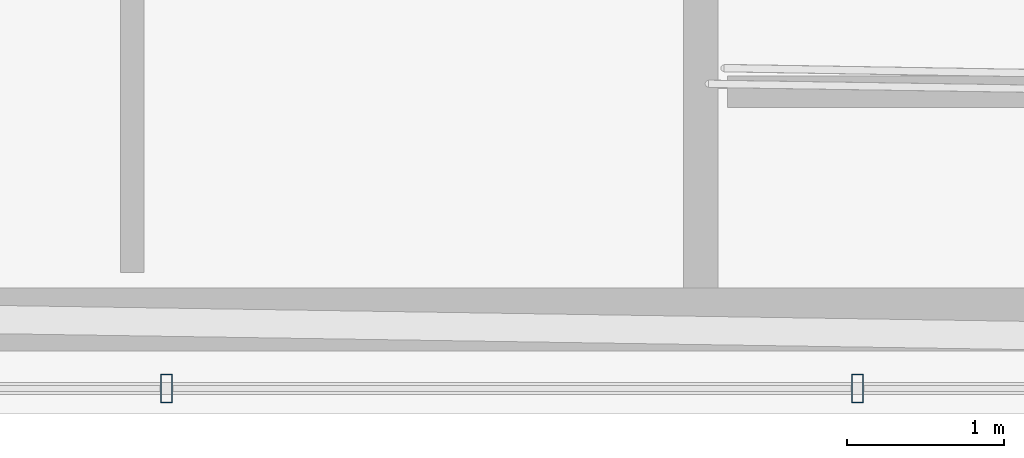
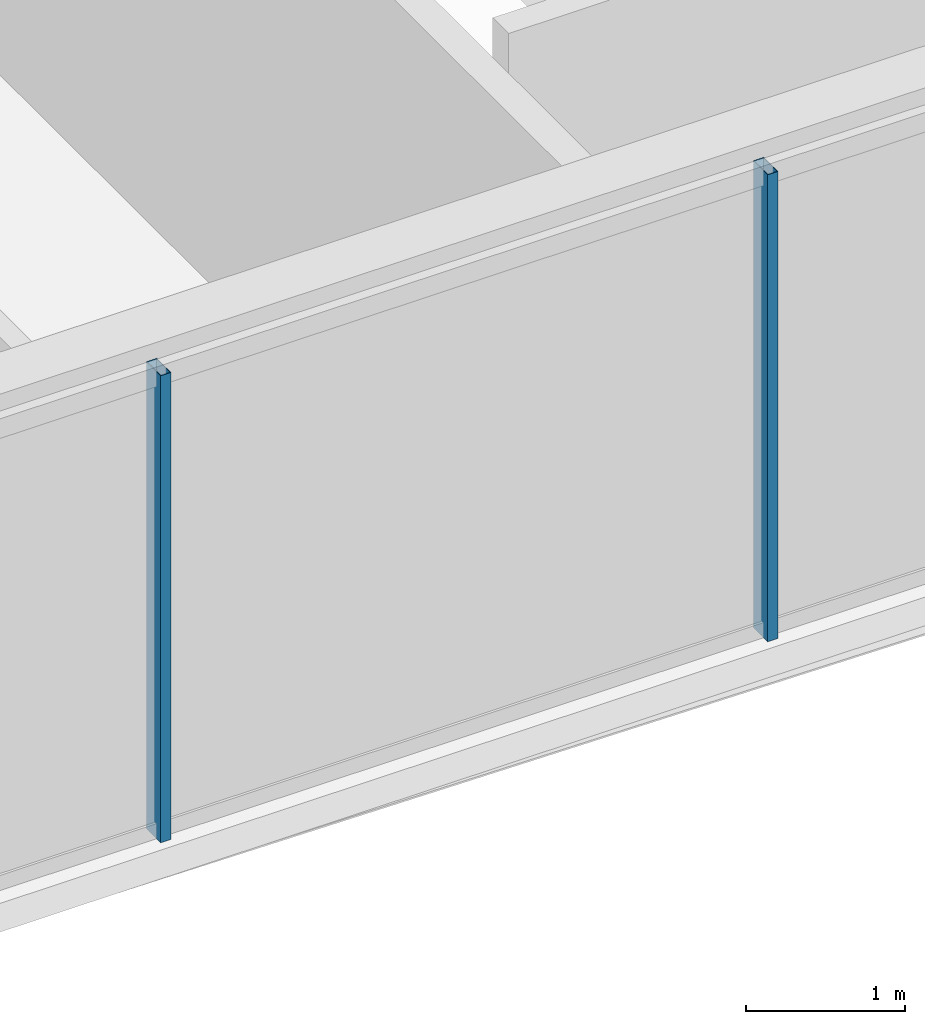
# One storey, part 7 of 32: 2 members, 1 element without a shape of its own.
"""IFC4 building model written with IfcOpenShell, lengths in metres."""

import ifcopenshell
import ifcopenshell.guid

model = None  # the IFC model being written
_history = None  # IfcOwnerHistory: only IFC2X3 demands one
_inside = {}  # id of a spatial element -> (the spatial element, [elements in it])
_under = {}  # id of a project, library or spatial element -> (it, [spatial elements below it])
_declared = {}  # id of a project -> (the project, [libraries it declares])
_typed = {}  # id of a type object -> (the type object, [elements of that type])
_made_of = {}  # id of a material, layer set ... -> (it, [elements and type objects made of it])


def new_model(schema):
    """Start an empty IFC model of exactly this schema.

    Asked for "IFC4X3", IfcOpenShell would pick the latest addendum, in which some entities
    have other attributes; the version numbers below select the first issue.
    IFC2X3 requires an IfcOwnerHistory on every rooted entity: one is made here for all.
    """
    global model, _history
    if schema == "IFC4X3":
        model = ifcopenshell.file(schema_version=(4, 3, 0, 0))
    else:
        model = ifcopenshell.file(schema=schema)
    _inside.clear()
    _under.clear()
    _declared.clear()
    _typed.clear()
    _made_of.clear()
    _history = None
    if model.schema == "IFC2X3":
        org = make("IfcOrganization", Name="unknown")
        user = make(
            "IfcPersonAndOrganization",
            ThePerson=make("IfcPerson", FamilyName="unknown"),
            TheOrganization=org,
        )
        app = make(
            "IfcApplication",
            ApplicationDeveloper=org,
            Version="unknown",
            ApplicationFullName="unknown",
            ApplicationIdentifier="unknown",
        )
        _history = make(
            "IfcOwnerHistory",
            OwningUser=user,
            OwningApplication=app,
            ChangeAction="ADDED",
            CreationDate=0,
        )
    return model


def make(cls, **values):
    """One entity of the class cls with the attributes given. An attribute that is None is left unset."""
    return model.create_entity(
        cls, **{name: value for name, value in values.items() if value is not None}
    )


def rooted(cls, **values):
    """An entity with a GlobalId (a new one), such as an element, a storey or a relation."""
    return make(cls, GlobalId=ifcopenshell.guid.new(), OwnerHistory=_history, **values)


def si_unit(unit_type, name, prefix=None):
    """IfcSIUnit, for example si_unit("LENGTHUNIT", "METRE", prefix="MILLI")."""
    return make("IfcSIUnit", UnitType=unit_type, Prefix=prefix, Name=name)


def assignment(units):
    """IfcUnitAssignment: the units of a project."""
    return None if units is None else make("IfcUnitAssignment", Units=units)


def point(xyz):
    """IfcCartesianPoint."""
    return None if xyz is None else make("IfcCartesianPoint", Coordinates=xyz)


def direction(xyz):
    """IfcDirection."""
    return None if xyz is None else make("IfcDirection", DirectionRatios=xyz)


def frame(location, z_axis=None, x_axis=None):
    """IfcAxis2Placement3D, a coordinate frame: its origin and axes. An axis left out is left unset."""
    return make(
        "IfcAxis2Placement3D",
        Location=point(location),
        Axis=direction(z_axis),
        RefDirection=direction(x_axis),
    )


def frame_2d(location, x_axis=None):
    """IfcAxis2Placement2D, a coordinate frame in the plane: its origin and x axis."""
    return make(
        "IfcAxis2Placement2D", Location=point(location), RefDirection=direction(x_axis)
    )


def origin():
    """The frame at (0, 0, 0) with its axes left unset."""
    return frame((0.0, 0.0, 0.0))


def origin_2d():
    """The frame at (0, 0) in the plane with its x axis left unset."""
    return frame_2d((0.0, 0.0))


def place(relative_to, where):
    """IfcLocalPlacement: puts the frame where relative to a parent placement (None: the world)."""
    return make(
        "IfcLocalPlacement", PlacementRelTo=relative_to, RelativePlacement=where
    )


def context(
    kind, dimensions, precision=None, world=None, true_north=None, identifier=None
):
    """IfcGeometricRepresentationContext, for example the 3D "Model" context."""
    return make(
        "IfcGeometricRepresentationContext",
        ContextIdentifier=identifier,
        ContextType=kind,
        CoordinateSpaceDimension=dimensions,
        Precision=precision,
        WorldCoordinateSystem=world,
        TrueNorth=true_north,
    )


def subcontext(parent, identifier, kind, view, scale=None):
    """IfcGeometricRepresentationSubContext, for example "Body" below "Model"."""
    return make(
        "IfcGeometricRepresentationSubContext",
        ContextIdentifier=identifier,
        ContextType=kind,
        ParentContext=parent,
        TargetScale=scale,
        TargetView=view,
    )


def project(units=None, contexts=None):
    """IfcProject with its units and contexts."""
    return rooted(
        "IfcProject",
        Name="project",
        RepresentationContexts=contexts,
        UnitsInContext=assignment(units),
    )


def spatial(cls, under=None, at=None, **own):
    """A site, building, storey or space (cls), placed at a placement, below another one or the project."""
    s = rooted(cls, ObjectPlacement=at, **own)
    if under is not None:
        _under.setdefault(under.id(), (under, []))[1].append(s)
    return s


def profile(cls, at=None, kind="AREA", **sizes):
    """A parametric profile (cls). Its sizes go by their IFC names, for example OverallWidth=200.0."""
    return make(cls, ProfileType=kind, Position=at, **sizes)


def hollow_rectangle(**sizes):
    """IfcRectangleHollowProfileDef."""
    return profile("IfcRectangleHollowProfileDef", **sizes)


def extrude(swept, where, along, depth):
    """IfcExtrudedAreaSolid: the profile swept, set in the frame where, extruded along a direction by depth."""
    return make(
        "IfcExtrudedAreaSolid",
        SweptArea=swept,
        Position=where,
        ExtrudedDirection=direction(along),
        Depth=depth,
    )


def shape(context_of_items, identifier, shape_type, items):
    """IfcShapeRepresentation: the items that make up one representation, for example the "Body"."""
    return make(
        "IfcShapeRepresentation",
        ContextOfItems=context_of_items,
        RepresentationIdentifier=identifier,
        RepresentationType=shape_type,
        Items=items,
    )


def material(Name=None, Category=None):
    """IfcMaterial."""
    return make("IfcMaterial", Name=Name, Category=Category)


def layer(
    of_material, thickness, ventilated=None, Name=None, Category=None, Priority=None
):
    """IfcMaterialLayer: one layer of a wall or slab, of a material (None: an air gap)."""
    return make(
        "IfcMaterialLayer",
        Material=of_material,
        LayerThickness=thickness,
        IsVentilated=ventilated,
        Name=Name,
        Category=Category,
        Priority=Priority,
    )


def layer_set(layers, Name=None):
    """IfcMaterialLayerSet."""
    return make("IfcMaterialLayerSet", MaterialLayers=layers, LayerSetName=Name)


def material_profile(
    of_material, cross_section, Name=None, Category=None, Priority=None
):
    """IfcMaterialProfile: a cross section and its material."""
    return make(
        "IfcMaterialProfile",
        Name=Name,
        Material=of_material,
        Profile=cross_section,
        Priority=Priority,
        Category=Category,
    )


def profile_set(profiles, Name=None, composite=None):
    """IfcMaterialProfileSet."""
    return make(
        "IfcMaterialProfileSet",
        Name=Name,
        MaterialProfiles=profiles,
        CompositeProfile=composite,
    )


def made_of(thing, what):
    """Note that an element or type object is made of a material, layer set ...; save() writes the relation."""
    if what is not None:
        _made_of.setdefault(what.id(), (what, []))[1].append(thing)
    return thing


def type_object(cls, material=None, **own):
    """A type object (cls), such as IfcWallType, which elements share."""
    return made_of(rooted(cls, **own), material)


def element(
    cls,
    number,
    at=None,
    inside=None,
    cuts=None,
    type_object=None,
    material=None,
    context=None,
    identifier="Body",
    shape_type=None,
    held_by="IfcProductDefinitionShape",
    body=None,
    shapes=None,
    **own,
):
    """One element of the class cls, such as IfcWall. Its Tag is "e" and its number.

    at: its placement. inside: the storey or other place that contains it. cuts: it is an
    opening in that element (IfcRelVoidsElement). A single representation is given by context,
    identifier, shape_type and body (its items); several are given by shapes. held_by: the class
    of the entity that holds the representations. save() writes the other relations.
    """
    e = rooted(cls, Tag="e%d" % number, ObjectPlacement=at, **own)
    if body is not None:
        shapes = [shape(context, identifier, shape_type, body)]
    if shapes is not None:
        e.Representation = make(held_by, Representations=shapes)
    if inside is not None:
        _inside.setdefault(inside.id(), (inside, []))[1].append(e)
    if cuts is not None:
        rooted(
            "IfcRelVoidsElement", RelatingBuildingElement=cuts, RelatedOpeningElement=e
        )
    if type_object is not None:
        _typed.setdefault(type_object.id(), (type_object, []))[1].append(e)
    return made_of(e, material)


def aggregate(whole, parts):
    """IfcRelAggregates: a whole, such as a stair, and the parts it consists of."""
    return rooted("IfcRelAggregates", RelatingObject=whole, RelatedObjects=parts)


def save(model, path):
    """Write the relations noted so far, then the file.

    IfcRelAggregates (storeys below a building ...), IfcRelContainedInSpatialStructure (elements
    in a storey), IfcRelDefinesByType, IfcRelAssociatesMaterial and IfcRelDeclares: one each for
    every whole, place, type object, material and project.
    """
    for whole, parts in _under.values():
        aggregate(whole, parts)
    for where, things in _inside.values():
        rooted(
            "IfcRelContainedInSpatialStructure",
            RelatedElements=things,
            RelatingStructure=where,
        )
    for kind, things in _typed.values():
        rooted("IfcRelDefinesByType", RelatedObjects=things, RelatingType=kind)
    for what, things in _made_of.values():
        rooted("IfcRelAssociatesMaterial", RelatedObjects=things, RelatingMaterial=what)
    for by, libraries in _declared.values():
        rooted("IfcRelDeclares", RelatingContext=by, RelatedDefinitions=libraries)
    model.write(path)


model = new_model("IFC4")

# Units and contexts
model_context = context("Model", 3, precision=1e-05, world=origin(), true_north=direction((0.0, 1.0)))
body_context = subcontext(model_context, "Body", "Model", "MODEL_VIEW")
ifc_project = project(units=[si_unit("LENGTHUNIT", "METRE"), si_unit("AREAUNIT", "SQUARE_METRE"), si_unit("VOLUMEUNIT", "CUBIC_METRE"), si_unit("PLANEANGLEUNIT", "RADIAN"), si_unit("MASSUNIT", "GRAM", prefix="KILO")], contexts=[model_context])

# Site, building, storey
site_placement = place(None, origin())
site = spatial("IfcSite", under=ifc_project, at=site_placement, CompositionType="ELEMENT")
building_placement = place(site_placement, origin())
building = spatial("IfcBuilding", under=site, at=building_placement, Name="Ndaravel Arena Tower", CompositionType="ELEMENT")
storey_placement = place(building_placement, frame((0.0, 0.0, 256.0)))
storey = spatial("IfcBuildingStorey", under=building, at=storey_placement, Name="L62", CompositionType="ELEMENT", Elevation=256.0)

# Curtain wall, members
ifc_material_1 = material(Name="Aluminium", Category="aluminium")
ifc_layer = layer(ifc_material_1, 0.179931640625)
ifc_layer_set = layer_set([ifc_layer], Name="Aluminium")
curtain_wall_type = type_object("IfcCurtainWallType", Name="CW-SYS-03", PredefinedType="NOTDEFINED", material=ifc_layer_set)
curtain_wall_placement = place(storey_placement, origin())
curtain_wall = element("IfcCurtainWall", 1, at=curtain_wall_placement, inside=storey, type_object=curtain_wall_type, Name="L62 Faceted Crystal Curtain Wall CW-L62-E01", PredefinedType="NOTDEFINED")
ifc_material_2 = material(Name="Aluminium", Category="aluminium")
ifc_material_profile = material_profile(ifc_material_2, hollow_rectangle(XDim=0.074951171875, YDim=0.179931640625, WallThickness=0.00390625, at=origin_2d()), Name="CW MULLION 75x180x4")
ifc_profile_set = profile_set([ifc_material_profile], Name="Aluminium")
member_type = type_object("IfcMemberType", Name="MEM-CW-MUL180", PredefinedType="MULLION", material=ifc_profile_set)
member_1_placement = place(storey_placement, frame((35.39892578125, 5.159912109375, 0.0), z_axis=(0.0, 0.0, 1.0), x_axis=(1.0, 0.0, 0.0)))
member_1 = element("IfcMember", 2, at=member_1_placement, type_object=member_type, Name="CW-L62-E01 Mullion 03", PredefinedType="MULLION", context=body_context, shape_type="SweptSolid", body=[
    extrude(hollow_rectangle(XDim=0.074951171875, YDim=0.179931640625, WallThickness=0.00390625, at=origin_2d()), origin(), (0.0, 0.0, 1.0), 3.580078125),
])
member_2_placement = place(storey_placement, frame((39.7998046875, 5.159912109375, 0.0), z_axis=(0.0, 0.0, 1.0), x_axis=(1.0, 0.0, 0.0)))
member_2 = element("IfcMember", 3, at=member_2_placement, type_object=member_type, Name="CW-L62-E01 Mullion 04", PredefinedType="MULLION", context=body_context, shape_type="SweptSolid", body=[
    extrude(hollow_rectangle(XDim=0.074951171875, YDim=0.179931640625, WallThickness=0.00390625, at=origin_2d()), origin(), (0.0, 0.0, 1.0), 3.580078125),
])
aggregate(curtain_wall, [member_1, member_2])

save(model, "model.ifc")
